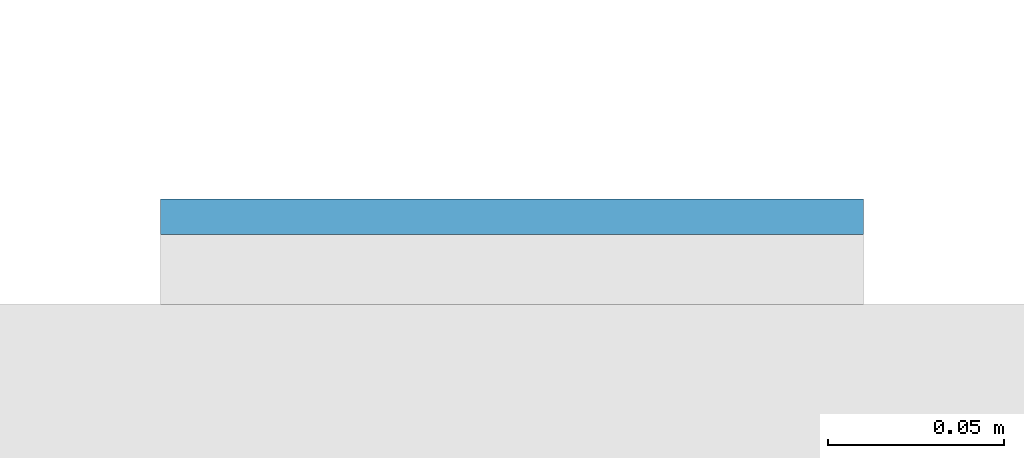
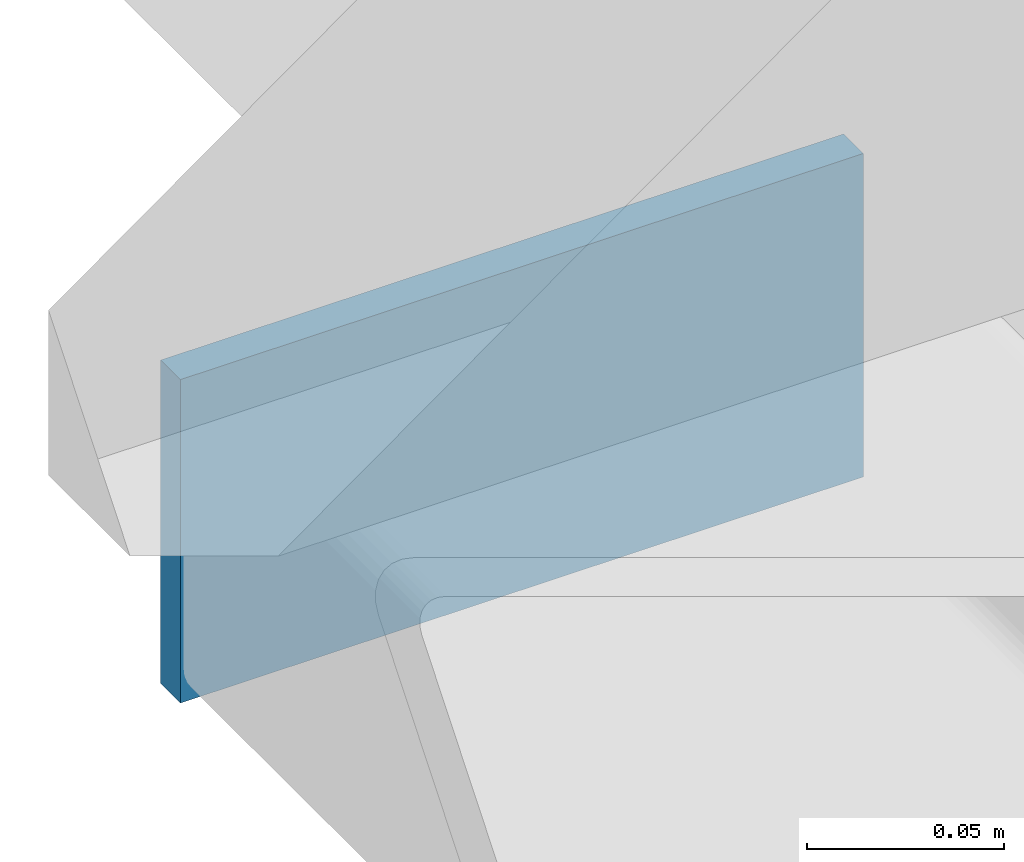
# One storey, part 9 of 20: 1 plate.
"""IFC4 building model written with IfcOpenShell, lengths in metres."""

from ifc_helpers import new_model, si_unit, direction, frame, origin, origin_2d, place, context, subcontext, project, spatial, rectangle, extrude, material, layer, layer_set, type_object, element, save


model = new_model("IFC4")

# Units and contexts
model_context = context("Model", 3, precision=1e-05, world=origin(), true_north=direction((0.0, 1.0)))
body_context = subcontext(model_context, "Body", "Model", "MODEL_VIEW")
ifc_project = project(units=[si_unit("LENGTHUNIT", "METRE"), si_unit("AREAUNIT", "SQUARE_METRE"), si_unit("VOLUMEUNIT", "CUBIC_METRE"), si_unit("PLANEANGLEUNIT", "RADIAN"), si_unit("MASSUNIT", "GRAM", prefix="KILO")], contexts=[model_context])

# Site, building, storey
site_placement = place(None, origin())
site = spatial("IfcSite", under=ifc_project, at=site_placement, CompositionType="ELEMENT")
building_placement = place(site_placement, origin())
building = spatial("IfcBuilding", under=site, at=building_placement, Name="Cleftline Residences", CompositionType="ELEMENT")
storey_placement = place(building_placement, frame((0.0, 0.0, 47.60009765625)))
storey = spatial("IfcBuildingStorey", under=building, at=storey_placement, Name="L11", CompositionType="ELEMENT", Elevation=47.60009765625)

# Plate
ifc_material = material(Name="Steel S355, hot-dip galvanised", Category="steel")
ifc_layer = layer(ifc_material, 0.010009765625)
ifc_layer_set = layer_set([ifc_layer], Name="BAGUETTE CARRIER END PLATE 200X100X10")
plate_type = type_object("IfcPlateType", Name="BAGUETTE CARRIER END PLATE 200X100X10", PredefinedType="USERDEFINED", material=ifc_layer_set)
plate_placement = place(storey_placement, frame((-0.85009765625, 44.304931640625, -0.10009765625), z_axis=(0.0, 0.0, 1.0), x_axis=(-1.0, 0.0, 0.0)))
element("IfcPlate", 1, at=plate_placement, inside=storey, type_object=plate_type, Name="Baguette carrier end plate", ObjectType="BAGUETTE CARRIER END PLATE", PredefinedType="USERDEFINED", context=body_context, shape_type="SweptSolid", body=[
    extrude(rectangle(XDim=0.199951171875, YDim=0.010009765625, at=origin_2d()), origin(), (0.0, 0.0, 1.0), 0.10009765625),
])

save(model, "model.ifc")
